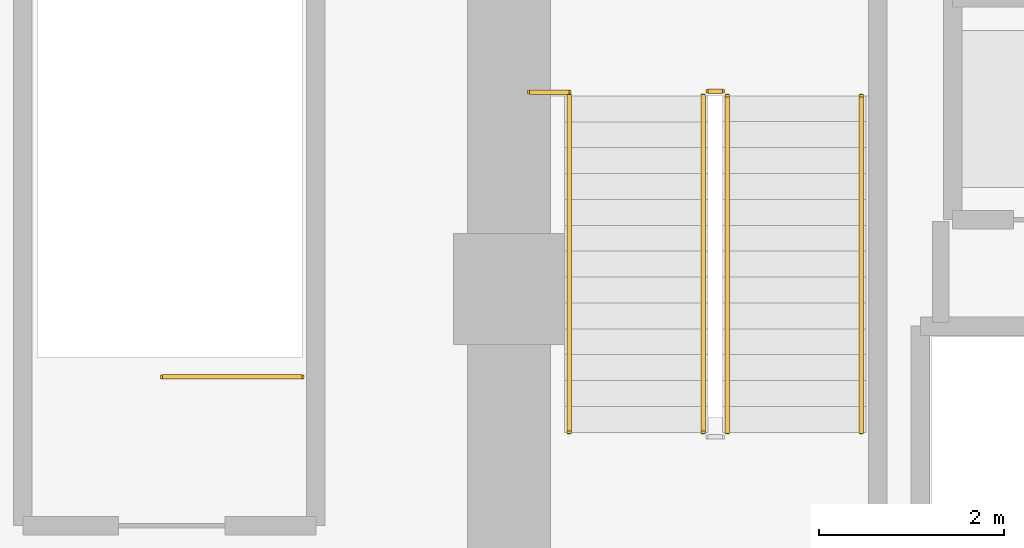
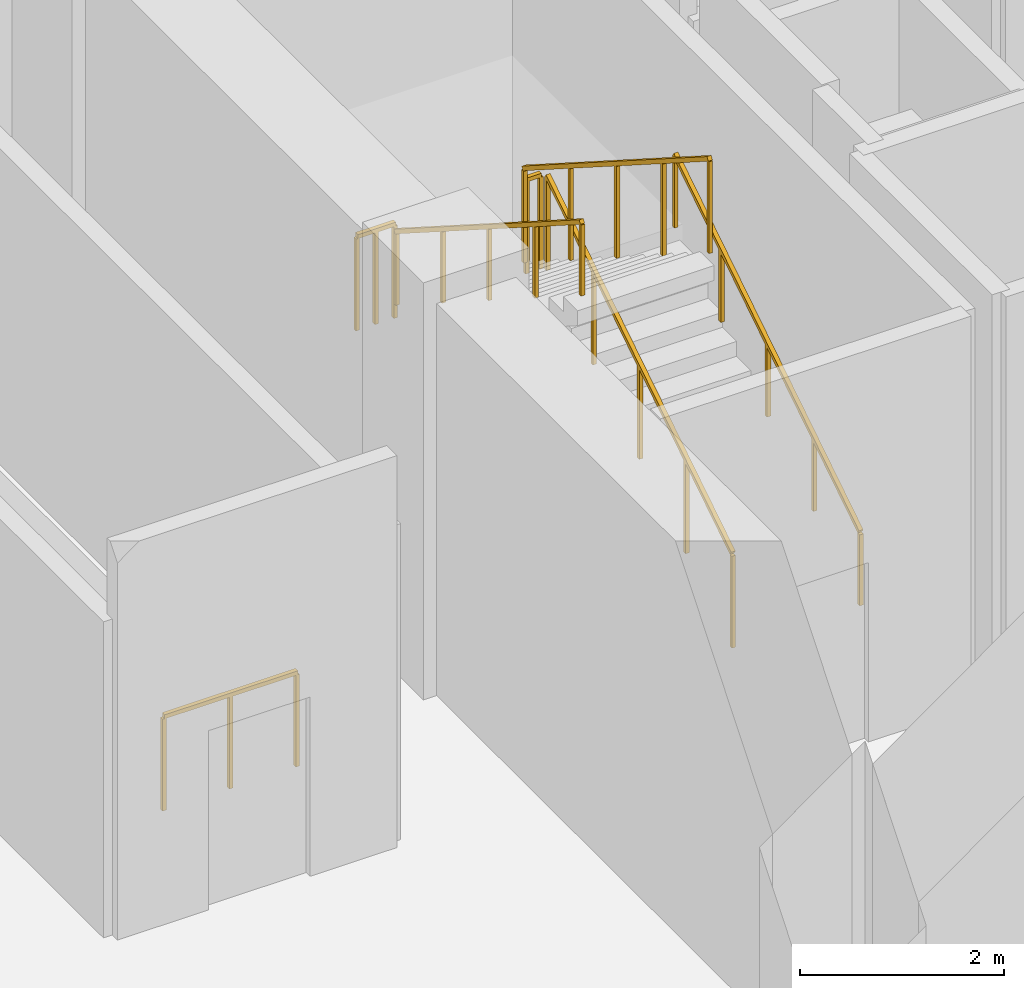
# One storey, part 22 of 27: 7 railings.
"""IFC4 building model written with IfcOpenShell, lengths in metres."""

from ifc_helpers import new_model, si_unit, direction, frame, origin, origin_2d, place, context, subcontext, project, spatial, rectangle, extrude, material, type_object, element, save


model = new_model("IFC4")

# Units and contexts
model_context = context("Model", 3, precision=1e-05, world=origin(), true_north=direction((0.0, 1.0)))
body_context = subcontext(model_context, "Body", "Model", "MODEL_VIEW")
ifc_project = project(units=[si_unit("LENGTHUNIT", "METRE"), si_unit("AREAUNIT", "SQUARE_METRE"), si_unit("VOLUMEUNIT", "CUBIC_METRE"), si_unit("PLANEANGLEUNIT", "RADIAN"), si_unit("MASSUNIT", "GRAM", prefix="KILO")], contexts=[model_context])

# Site, building, storey
site_placement = place(None, origin())
site = spatial("IfcSite", under=ifc_project, at=site_placement, CompositionType="ELEMENT")
building_placement = place(site_placement, origin())
building = spatial("IfcBuilding", under=site, at=building_placement, Name="Zarnakvel Exchange Tower", CompositionType="ELEMENT")
storey_placement = place(building_placement, origin())
storey = spatial("IfcBuildingStorey", under=building, at=storey_placement, Name="L00", CompositionType="ELEMENT", Elevation=0.0)

# Railings
ifc_material_1 = material(Name="Brushed Stainless Steel", Category="steel")
railing_type_1 = type_object("IfcRailingType", Name="HR-01", PredefinedType="HANDRAIL", material=ifc_material_1)
railing_1_placement = place(storey_placement, frame((-10.590087890625, 5.050048828125, 0.178466796875)))
element("IfcRailing", 1, at=railing_1_placement, inside=storey, type_object=railing_type_1, Name="L00 ST-01 stair handrail 1", PredefinedType="HANDRAIL", context=body_context, shape_type="SweptSolid", body=[
    extrude(rectangle(XDim=0.048095703125, YDim=0.048095703125, at=origin_2d()), frame((0.0, 0.0, 0.8759765625), z_axis=(0.0, 0.843111507901, 0.53773877045), x_axis=(-1.0, 0.0, 0.0)), (0.0, 0.0, 1.0), 4.317138671875),
    extrude(rectangle(XDim=0.0419921875, YDim=0.0419921875, at=origin_2d()), origin(), (0.0, 0.0, 1.0), 0.851806640625),
    extrude(rectangle(XDim=0.0419921875, YDim=0.0419921875, at=origin_2d()), frame((0.0, 0.909912109375, 0.580322265625)), (0.0, 0.0, 1.0), 0.851806640625),
    extrude(rectangle(XDim=0.0419921875, YDim=0.0419921875, at=origin_2d()), frame((0.0, 1.81982421875, 1.16064453125)), (0.0, 0.0, 1.0), 0.851806640625),
    extrude(rectangle(XDim=0.0419921875, YDim=0.0419921875, at=origin_2d()), frame((0.0, 2.72998046875, 1.7412109375)), (0.0, 0.0, 1.0), 0.851806640625),
    extrude(rectangle(XDim=0.0419921875, YDim=0.0419921875, at=origin_2d()), frame((0.0, 3.639892578125, 2.321533203125)), (0.0, 0.0, 1.0), 0.851806640625),
])
railing_2_placement = place(storey_placement, frame((-13.75, 8.68994140625, 2.678466796875)))
element("IfcRailing", 2, at=railing_2_placement, inside=storey, type_object=railing_type_1, Name="L00 ST-01 stair handrail 2", PredefinedType="HANDRAIL", context=body_context, shape_type="SweptSolid", body=[
    extrude(rectangle(XDim=0.048095703125, YDim=0.048095703125, at=origin_2d()), frame((0.0, 0.0, 0.8759765625), z_axis=(0.0, -0.843111507901, 0.53773877045), x_axis=(1.0, 0.0, 0.0)), (0.0, 0.0, 1.0), 4.317138671875),
    extrude(rectangle(XDim=0.0419921875, YDim=0.0419921875, at=origin_2d()), origin(), (0.0, 0.0, 1.0), 0.851806640625),
    extrude(rectangle(XDim=0.0419921875, YDim=0.0419921875, at=origin_2d()), frame((0.0, -0.909912109375, 0.580322265625)), (0.0, 0.0, 1.0), 0.851806640625),
    extrude(rectangle(XDim=0.0419921875, YDim=0.0419921875, at=origin_2d()), frame((0.0, -1.81982421875, 1.16064453125)), (0.0, 0.0, 1.0), 0.851806640625),
    extrude(rectangle(XDim=0.0419921875, YDim=0.0419921875, at=origin_2d()), frame((0.0, -2.72998046875, 1.7412109375)), (0.0, 0.0, 1.0), 0.851806640625),
    extrude(rectangle(XDim=0.0419921875, YDim=0.0419921875, at=origin_2d()), frame((0.0, -3.639892578125, 2.321533203125)), (0.0, 0.0, 1.0), 0.851806640625),
])
ifc_material_2 = material(Name="Architectural Bronze Anodised Aluminium", Category="aluminium")
railing_type_2 = type_object("IfcRailingType", Name="SG-01", PredefinedType="GUARDRAIL", material=ifc_material_2)
railing_3_placement = place(storey_placement, frame((-12.0400390625, 5.050048828125, 0.178466796875)))
element("IfcRailing", 3, at=railing_3_placement, inside=storey, type_object=railing_type_2, Name="L00 ST-01 stair guard 1", PredefinedType="GUARDRAIL", context=body_context, shape_type="SweptSolid", body=[
    extrude(rectangle(XDim=0.048095703125, YDim=0.048095703125, at=origin_2d()), frame((0.0, 0.0, 1.1259765625), z_axis=(0.0, 0.843111507901, 0.53773877045), x_axis=(-1.0, 0.0, 0.0)), (0.0, 0.0, 1.0), 4.317138671875),
    extrude(rectangle(XDim=0.0419921875, YDim=0.0419921875, at=origin_2d()), origin(), (0.0, 0.0, 1.0), 1.101806640625),
    extrude(rectangle(XDim=0.0419921875, YDim=0.0419921875, at=origin_2d()), frame((0.0, 0.909912109375, 0.580322265625)), (0.0, 0.0, 1.0), 1.101806640625),
    extrude(rectangle(XDim=0.0419921875, YDim=0.0419921875, at=origin_2d()), frame((0.0, 1.81982421875, 1.16064453125)), (0.0, 0.0, 1.0), 1.101806640625),
    extrude(rectangle(XDim=0.0419921875, YDim=0.0419921875, at=origin_2d()), frame((0.0, 2.72998046875, 1.7412109375)), (0.0, 0.0, 1.0), 1.101806640625),
    extrude(rectangle(XDim=0.0419921875, YDim=0.0419921875, at=origin_2d()), frame((0.0, 3.639892578125, 2.321533203125)), (0.0, 0.0, 1.0), 1.101806640625),
])
railing_4_placement = place(storey_placement, frame((-12.090087890625, 8.739990234375, 2.5)))
element("IfcRailing", 4, at=railing_4_placement, inside=storey, type_object=railing_type_2, Name="L00 ST-01 stair guard 2", PredefinedType="GUARDRAIL", context=body_context, shape_type="SweptSolid", body=[
    extrude(rectangle(XDim=0.048095703125, YDim=0.048095703125, at=origin_2d()), frame((0.0, 0.0, 1.1259765625), z_axis=(-1.0, 0.0, 0.0), x_axis=(0.0, -1.0, 0.0)), (0.0, 0.0, 1.0), 0.159912109375),
    extrude(rectangle(XDim=0.0419921875, YDim=0.0419921875, at=origin_2d()), origin(), (0.0, 0.0, 1.0), 1.101806640625),
    extrude(rectangle(XDim=0.0419921875, YDim=0.0419921875, at=origin_2d()), frame((-0.159912109375, 0.0, 0.0)), (0.0, 0.0, 1.0), 1.101806640625),
])
railing_5_placement = place(storey_placement, frame((-12.300048828125, 8.68994140625, 2.678466796875)))
element("IfcRailing", 5, at=railing_5_placement, inside=storey, type_object=railing_type_2, Name="L00 ST-01 stair guard 3", PredefinedType="GUARDRAIL", context=body_context, shape_type="SweptSolid", body=[
    extrude(rectangle(XDim=0.048095703125, YDim=0.048095703125, at=origin_2d()), frame((0.0, 0.0, 1.1259765625), z_axis=(0.0, -0.843111507901, 0.53773877045), x_axis=(1.0, 0.0, 0.0)), (0.0, 0.0, 1.0), 4.317138671875),
    extrude(rectangle(XDim=0.0419921875, YDim=0.0419921875, at=origin_2d()), origin(), (0.0, 0.0, 1.0), 1.101806640625),
    extrude(rectangle(XDim=0.0419921875, YDim=0.0419921875, at=origin_2d()), frame((0.0, -0.909912109375, 0.580322265625)), (0.0, 0.0, 1.0), 1.101806640625),
    extrude(rectangle(XDim=0.0419921875, YDim=0.0419921875, at=origin_2d()), frame((0.0, -1.81982421875, 1.16064453125)), (0.0, 0.0, 1.0), 1.101806640625),
    extrude(rectangle(XDim=0.0419921875, YDim=0.0419921875, at=origin_2d()), frame((0.0, -2.72998046875, 1.7412109375)), (0.0, 0.0, 1.0), 1.101806640625),
    extrude(rectangle(XDim=0.0419921875, YDim=0.0419921875, at=origin_2d()), frame((0.0, -3.639892578125, 2.321533203125)), (0.0, 0.0, 1.0), 1.101806640625),
])
railing_6_placement = place(storey_placement, frame((-14.179931640625, 8.72998046875, 2.5)))
element("IfcRailing", 6, at=railing_6_placement, inside=storey, type_object=railing_type_2, Name="L00 ST-01 Landing Slot Guardrail", PredefinedType="GUARDRAIL", context=body_context, shape_type="SweptSolid", body=[
    extrude(rectangle(XDim=0.048095703125, YDim=0.048095703125, at=origin_2d()), frame((0.0, 0.0, 1.1259765625), z_axis=(1.0, 0.0, 0.0), x_axis=(0.0, 1.0, 0.0)), (0.0, 0.0, 1.0), 0.429931640625),
    extrude(rectangle(XDim=0.0419921875, YDim=0.0419921875, at=origin_2d()), origin(), (0.0, 0.0, 1.0), 1.101806640625),
    extrude(rectangle(XDim=0.0419921875, YDim=0.0419921875, at=origin_2d()), frame((0.21484375, 0.0, 0.0)), (0.0, 0.0, 1.0), 1.101806640625),
    extrude(rectangle(XDim=0.0419921875, YDim=0.0419921875, at=origin_2d()), frame((0.429931640625, 0.0, 0.0)), (0.0, 0.0, 1.0), 1.101806640625),
])
railing_7_placement = place(storey_placement, frame((-16.639892578125, 5.64990234375, 0.0)))
element("IfcRailing", 7, at=railing_7_placement, inside=storey, type_object=railing_type_2, Name="L00 ST-05 top well guard 1", PredefinedType="GUARDRAIL", context=body_context, shape_type="SweptSolid", body=[
    extrude(rectangle(XDim=0.048095703125, YDim=0.048095703125, at=origin_2d()), frame((0.0, 0.0, 1.1259765625), z_axis=(-1.0, 0.0, 0.0), x_axis=(0.0, -1.0, 0.0)), (0.0, 0.0, 1.0), 1.510009765625),
    extrude(rectangle(XDim=0.0419921875, YDim=0.0419921875, at=origin_2d()), origin(), (0.0, 0.0, 1.0), 1.101806640625),
    extrude(rectangle(XDim=0.0419921875, YDim=0.0419921875, at=origin_2d()), frame((-0.7548828125, 0.0, 0.0)), (0.0, 0.0, 1.0), 1.101806640625),
    extrude(rectangle(XDim=0.0419921875, YDim=0.0419921875, at=origin_2d()), frame((-1.510009765625, 0.0, 0.0)), (0.0, 0.0, 1.0), 1.101806640625),
])

save(model, "model.ifc")
